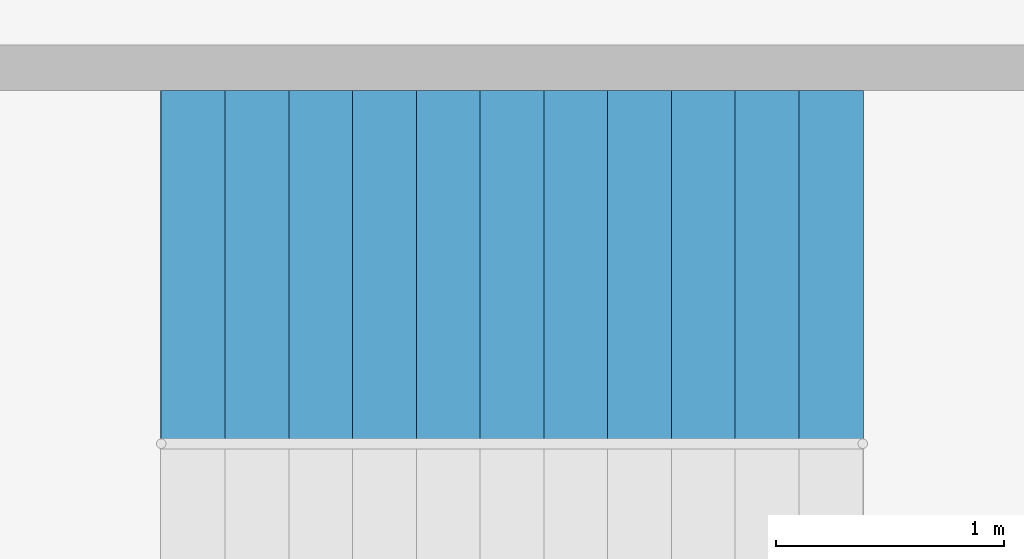
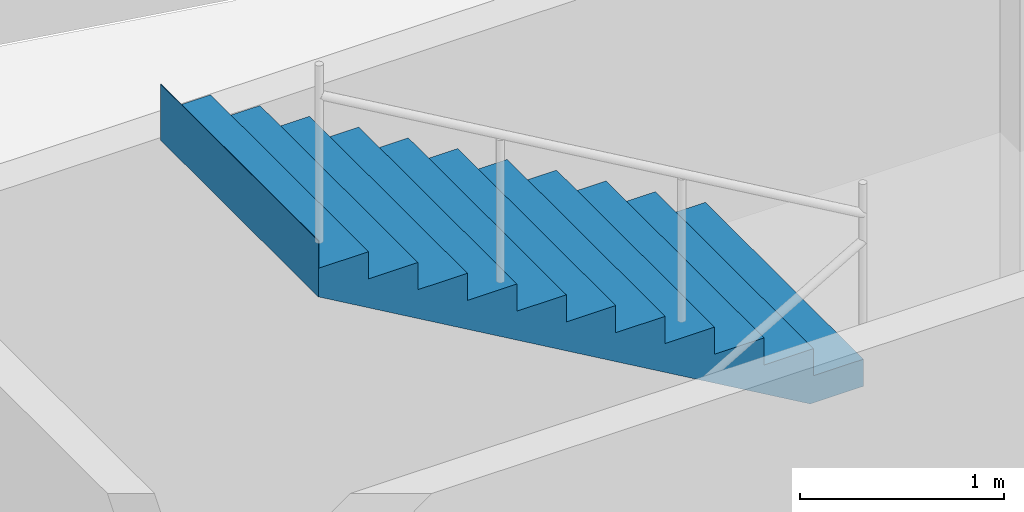
# One storey, part 7 of 9: 1 stair flight, 1 element without a shape of its own.
"""IFC4 building model written with IfcOpenShell, lengths in metres."""

import ifcopenshell
import ifcopenshell.guid

model = None  # the IFC model being written
_history = None  # IfcOwnerHistory: only IFC2X3 demands one
_inside = {}  # id of a spatial element -> (the spatial element, [elements in it])
_under = {}  # id of a project, library or spatial element -> (it, [spatial elements below it])
_declared = {}  # id of a project -> (the project, [libraries it declares])
_typed = {}  # id of a type object -> (the type object, [elements of that type])
_made_of = {}  # id of a material, layer set ... -> (it, [elements and type objects made of it])


def new_model(schema):
    """Start an empty IFC model of exactly this schema.

    Asked for "IFC4X3", IfcOpenShell would pick the latest addendum, in which some entities
    have other attributes; the version numbers below select the first issue.
    IFC2X3 requires an IfcOwnerHistory on every rooted entity: one is made here for all.
    """
    global model, _history
    if schema == "IFC4X3":
        model = ifcopenshell.file(schema_version=(4, 3, 0, 0))
    else:
        model = ifcopenshell.file(schema=schema)
    _inside.clear()
    _under.clear()
    _declared.clear()
    _typed.clear()
    _made_of.clear()
    _history = None
    if model.schema == "IFC2X3":
        org = make("IfcOrganization", Name="unknown")
        user = make(
            "IfcPersonAndOrganization",
            ThePerson=make("IfcPerson", FamilyName="unknown"),
            TheOrganization=org,
        )
        app = make(
            "IfcApplication",
            ApplicationDeveloper=org,
            Version="unknown",
            ApplicationFullName="unknown",
            ApplicationIdentifier="unknown",
        )
        _history = make(
            "IfcOwnerHistory",
            OwningUser=user,
            OwningApplication=app,
            ChangeAction="ADDED",
            CreationDate=0,
        )
    return model


def make(cls, **values):
    """One entity of the class cls with the attributes given. An attribute that is None is left unset."""
    return model.create_entity(
        cls, **{name: value for name, value in values.items() if value is not None}
    )


def rooted(cls, **values):
    """An entity with a GlobalId (a new one), such as an element, a storey or a relation."""
    return make(cls, GlobalId=ifcopenshell.guid.new(), OwnerHistory=_history, **values)


def si_unit(unit_type, name, prefix=None):
    """IfcSIUnit, for example si_unit("LENGTHUNIT", "METRE", prefix="MILLI")."""
    return make("IfcSIUnit", UnitType=unit_type, Prefix=prefix, Name=name)


def assignment(units):
    """IfcUnitAssignment: the units of a project."""
    return None if units is None else make("IfcUnitAssignment", Units=units)


def point(xyz):
    """IfcCartesianPoint."""
    return None if xyz is None else make("IfcCartesianPoint", Coordinates=xyz)


def direction(xyz):
    """IfcDirection."""
    return None if xyz is None else make("IfcDirection", DirectionRatios=xyz)


def frame(location, z_axis=None, x_axis=None):
    """IfcAxis2Placement3D, a coordinate frame: its origin and axes. An axis left out is left unset."""
    return make(
        "IfcAxis2Placement3D",
        Location=point(location),
        Axis=direction(z_axis),
        RefDirection=direction(x_axis),
    )


def origin():
    """The frame at (0, 0, 0) with its axes left unset."""
    return frame((0.0, 0.0, 0.0))


def place(relative_to, where):
    """IfcLocalPlacement: puts the frame where relative to a parent placement (None: the world)."""
    return make(
        "IfcLocalPlacement", PlacementRelTo=relative_to, RelativePlacement=where
    )


def context(
    kind, dimensions, precision=None, world=None, true_north=None, identifier=None
):
    """IfcGeometricRepresentationContext, for example the 3D "Model" context."""
    return make(
        "IfcGeometricRepresentationContext",
        ContextIdentifier=identifier,
        ContextType=kind,
        CoordinateSpaceDimension=dimensions,
        Precision=precision,
        WorldCoordinateSystem=world,
        TrueNorth=true_north,
    )


def subcontext(parent, identifier, kind, view, scale=None):
    """IfcGeometricRepresentationSubContext, for example "Body" below "Model"."""
    return make(
        "IfcGeometricRepresentationSubContext",
        ContextIdentifier=identifier,
        ContextType=kind,
        ParentContext=parent,
        TargetScale=scale,
        TargetView=view,
    )


def project(units=None, contexts=None):
    """IfcProject with its units and contexts."""
    return rooted(
        "IfcProject",
        Name="project",
        RepresentationContexts=contexts,
        UnitsInContext=assignment(units),
    )


def spatial(cls, under=None, at=None, **own):
    """A site, building, storey or space (cls), placed at a placement, below another one or the project."""
    s = rooted(cls, ObjectPlacement=at, **own)
    if under is not None:
        _under.setdefault(under.id(), (under, []))[1].append(s)
    return s


def polyline(points):
    """IfcPolyline through the points."""
    return make("IfcPolyline", Points=[point(p) for p in points])


def outline(outer, holes=None, kind="AREA"):
    """IfcArbitraryClosedProfileDef: a profile drawn as a closed curve; with holes, ...WithVoids."""
    if holes is None:
        return make("IfcArbitraryClosedProfileDef", ProfileType=kind, OuterCurve=outer)
    return make(
        "IfcArbitraryProfileDefWithVoids",
        ProfileType=kind,
        OuterCurve=outer,
        InnerCurves=holes,
    )


def extrude(swept, where, along, depth):
    """IfcExtrudedAreaSolid: the profile swept, set in the frame where, extruded along a direction by depth."""
    return make(
        "IfcExtrudedAreaSolid",
        SweptArea=swept,
        Position=where,
        ExtrudedDirection=direction(along),
        Depth=depth,
    )


def shape(context_of_items, identifier, shape_type, items):
    """IfcShapeRepresentation: the items that make up one representation, for example the "Body"."""
    return make(
        "IfcShapeRepresentation",
        ContextOfItems=context_of_items,
        RepresentationIdentifier=identifier,
        RepresentationType=shape_type,
        Items=items,
    )


def material(Name=None, Category=None):
    """IfcMaterial."""
    return make("IfcMaterial", Name=Name, Category=Category)


def made_of(thing, what):
    """Note that an element or type object is made of a material, layer set ...; save() writes the relation."""
    if what is not None:
        _made_of.setdefault(what.id(), (what, []))[1].append(thing)
    return thing


def type_object(cls, material=None, **own):
    """A type object (cls), such as IfcWallType, which elements share."""
    return made_of(rooted(cls, **own), material)


def element(
    cls,
    number,
    at=None,
    inside=None,
    cuts=None,
    type_object=None,
    material=None,
    context=None,
    identifier="Body",
    shape_type=None,
    held_by="IfcProductDefinitionShape",
    body=None,
    shapes=None,
    **own,
):
    """One element of the class cls, such as IfcWall. Its Tag is "e" and its number.

    at: its placement. inside: the storey or other place that contains it. cuts: it is an
    opening in that element (IfcRelVoidsElement). A single representation is given by context,
    identifier, shape_type and body (its items); several are given by shapes. held_by: the class
    of the entity that holds the representations. save() writes the other relations.
    """
    e = rooted(cls, Tag="e%d" % number, ObjectPlacement=at, **own)
    if body is not None:
        shapes = [shape(context, identifier, shape_type, body)]
    if shapes is not None:
        e.Representation = make(held_by, Representations=shapes)
    if inside is not None:
        _inside.setdefault(inside.id(), (inside, []))[1].append(e)
    if cuts is not None:
        rooted(
            "IfcRelVoidsElement", RelatingBuildingElement=cuts, RelatedOpeningElement=e
        )
    if type_object is not None:
        _typed.setdefault(type_object.id(), (type_object, []))[1].append(e)
    return made_of(e, material)


def aggregate(whole, parts):
    """IfcRelAggregates: a whole, such as a stair, and the parts it consists of."""
    return rooted("IfcRelAggregates", RelatingObject=whole, RelatedObjects=parts)


def save(model, path):
    """Write the relations noted so far, then the file.

    IfcRelAggregates (storeys below a building ...), IfcRelContainedInSpatialStructure (elements
    in a storey), IfcRelDefinesByType, IfcRelAssociatesMaterial and IfcRelDeclares: one each for
    every whole, place, type object, material and project.
    """
    for whole, parts in _under.values():
        aggregate(whole, parts)
    for where, things in _inside.values():
        rooted(
            "IfcRelContainedInSpatialStructure",
            RelatedElements=things,
            RelatingStructure=where,
        )
    for kind, things in _typed.values():
        rooted("IfcRelDefinesByType", RelatedObjects=things, RelatingType=kind)
    for what, things in _made_of.values():
        rooted("IfcRelAssociatesMaterial", RelatedObjects=things, RelatingMaterial=what)
    for by, libraries in _declared.values():
        rooted("IfcRelDeclares", RelatingContext=by, RelatedDefinitions=libraries)
    model.write(path)


model = new_model("IFC4")

# Units and contexts
model_context = context("Model", 3, precision=1e-05, world=origin(), true_north=direction((0.0, 1.0)))
body_context = subcontext(model_context, "Body", "Model", "MODEL_VIEW")
ifc_project = project(units=[si_unit("LENGTHUNIT", "METRE"), si_unit("AREAUNIT", "SQUARE_METRE"), si_unit("VOLUMEUNIT", "CUBIC_METRE"), si_unit("PLANEANGLEUNIT", "RADIAN"), si_unit("MASSUNIT", "GRAM", prefix="KILO")], contexts=[model_context])

# Site, building, storey
site_placement = place(None, origin())
site = spatial("IfcSite", under=ifc_project, at=site_placement, CompositionType="ELEMENT")
building_placement = place(site_placement, origin())
building = spatial("IfcBuilding", under=site, at=building_placement, Name="Qaws Garden Tower", CompositionType="ELEMENT")
storey_placement = place(building_placement, frame((0.0, 0.0, 251.39990234375)))
storey = spatial("IfcBuildingStorey", under=building, at=storey_placement, Name="L60", CompositionType="ELEMENT", Elevation=251.39990234375)

# Stair, stair flight
ifc_material_1 = material(Name="Concrete C40", Category="concrete")
stair_type = type_object("IfcStairType", Name="Exit stair 1350", PredefinedType="HALF_TURN_STAIR", material=ifc_material_1)
stair_placement = place(storey_placement, origin())
stair = element("IfcStair", 1, at=stair_placement, inside=storey, type_object=stair_type, Name="Stair 7", PredefinedType="HALF_TURN_STAIR")
ifc_material_2 = material(Name="Concrete C40", Category="concrete")
stair_flight_type = type_object("IfcStairFlightType", Name="Stair flight 1350", PredefinedType="STRAIGHT", material=ifc_material_2)
stair_flight_placement = place(storey_placement, frame((17.830078125, 68.925048828125, 1.9501953125), z_axis=(0.0, 0.0, 1.0), x_axis=(-1.0, 0.0, 0.0)))
stair_flight = element("IfcStairFlight", 2, at=stair_flight_placement, type_object=stair_flight_type, Name="ST7 flight 2", NumberOfRisers=12, NumberOfTreads=11, PredefinedType="STRAIGHT", RiserHeight=0.1625, TreadLength=0.28, context=body_context, shape_type="SweptSolid", body=[
    extrude(outline(polyline([(-0.0029296875, 0.0), (-0.0029296875, 0.16259765625), (0.0, 0.16259765625), (0.280029296875, 0.16259765625), (0.280029296875, 0.324951171875), (0.56005859375, 0.324951171875), (0.56005859375, 0.487548828125), (0.840087890625, 0.487548828125), (0.840087890625, 0.64990234375), (1.1201171875, 0.64990234375), (1.1201171875, 0.8125), (1.39990234375, 0.8125), (1.39990234375, 0.97509765625), (1.679931640625, 0.97509765625), (1.679931640625, 1.137451171875), (1.9599609375, 1.137451171875), (1.9599609375, 1.300048828125), (2.239990234375, 1.300048828125), (2.239990234375, 1.46240234375), (2.52001953125, 1.46240234375), (2.52001953125, 1.625), (2.800048828125, 1.625), (2.800048828125, 1.78759765625), (3.080078125, 1.78759765625), (3.080078125, 1.949951171875), (3.0830078125, 1.949951171875), (3.0830078125, 1.6142578125), (3.080078125, 1.6142578125), (0.298583984375, 0.0), (-0.0029296875, 0.0)])), frame((0.0, 0.77490234375, 0.0), z_axis=(0.0, -1.0, 0.0), x_axis=(1.0, 0.0, 0.0)), (0.0, 0.0, 1.0), 1.550048828125),
])
aggregate(stair, [stair_flight])

save(model, "model.ifc")
